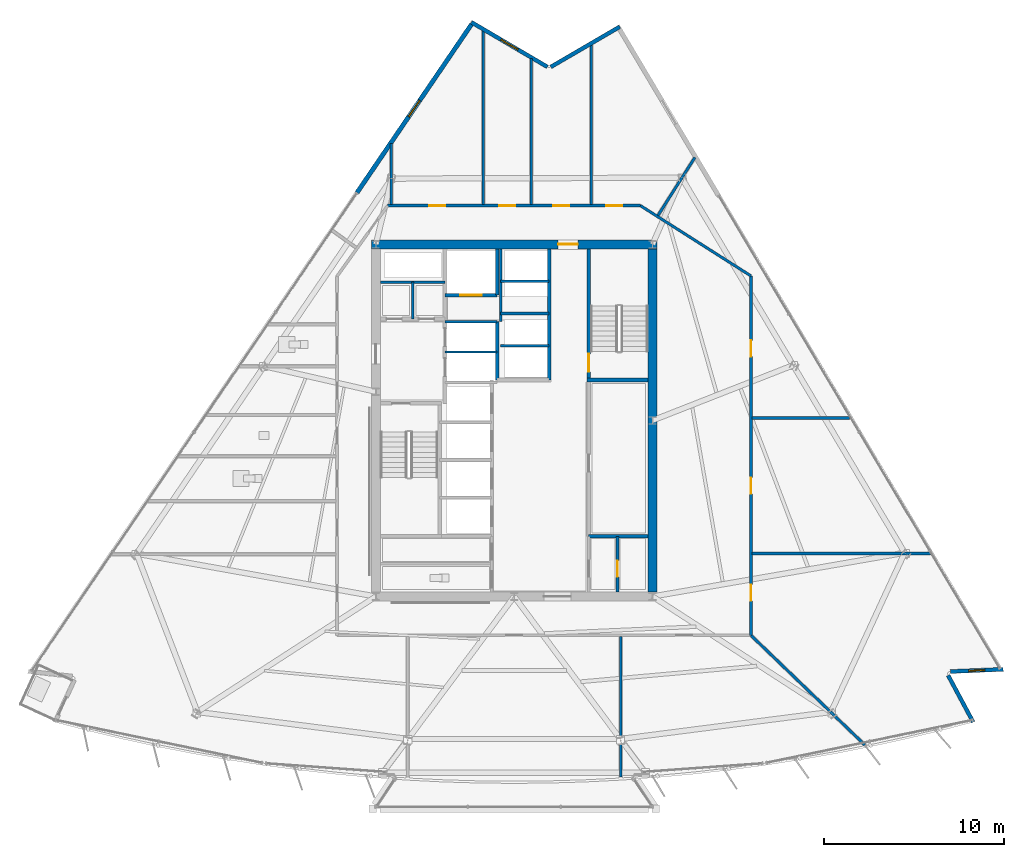
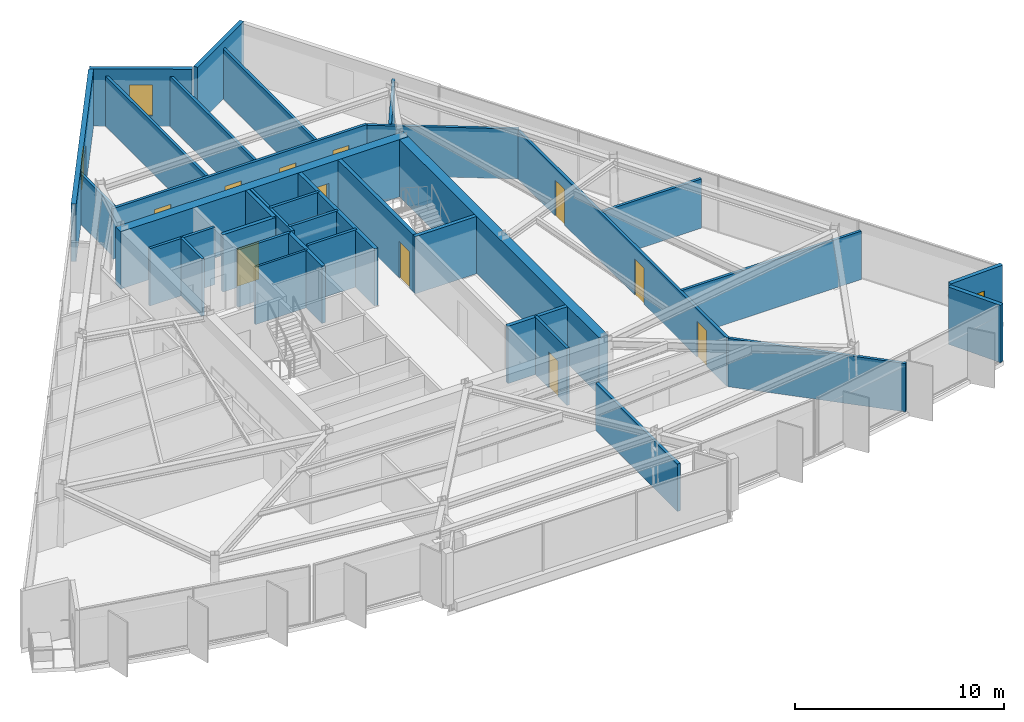
# One storey, part 10 of 16: 35 walls, 11 doors, 3 windows, 14 openings.
"""IFC4 building model written with IfcOpenShell, lengths in metres."""

from ifc_helpers import new_model, si_unit, direction, frame, frame_2d, origin, place, context, subcontext, project, spatial, rectangle, extrude, material, layer, layer_set, type_object, element, fill, save


model = new_model("IFC4")

# Units and contexts
model_context = context("Model", 3, precision=1e-05, world=origin(), true_north=direction((0.0, 1.0)))
body_context = subcontext(model_context, "Body", "Model", "MODEL_VIEW")
ifc_project = project(units=[si_unit("LENGTHUNIT", "METRE"), si_unit("AREAUNIT", "SQUARE_METRE"), si_unit("VOLUMEUNIT", "CUBIC_METRE"), si_unit("PLANEANGLEUNIT", "RADIAN"), si_unit("MASSUNIT", "GRAM", prefix="KILO")], contexts=[model_context])

# Site, building, storey
site_placement = place(None, origin())
site = spatial("IfcSite", under=ifc_project, at=site_placement, CompositionType="ELEMENT")
building_placement = place(site_placement, origin())
building = spatial("IfcBuilding", under=site, at=building_placement, Name="Savorim Split Tower", CompositionType="ELEMENT")
storey_placement = place(building_placement, frame((0.0, 0.0, 160.199951171875)))
storey = spatial("IfcBuildingStorey", under=building, at=storey_placement, Name="L42", CompositionType="ELEMENT", Elevation=160.199951171875)

# Wall, opening, door
ifc_material_1 = material(Name="Concrete C60/75", Category="concrete")
ifc_layer_1 = layer(ifc_material_1, 0.5)
ifc_layer_set_1 = layer_set([ifc_layer_1], Name="WAL-COR-SH500")
wall_type_1 = type_object("IfcWallType", Name="WAL-COR-SH500", PredefinedType="SHEAR", material=ifc_layer_set_1)
wall_1_placement = place(storey_placement, frame((7.949951171875, 10.199951171875, 0.0), z_axis=(0.0, 0.0, 1.0), x_axis=(-1.0, 0.0, 0.0)))
wall_1 = element("IfcWall", 1, at=wall_1_placement, inside=storey, type_object=wall_type_1, Name="L42 Offset Core North Shear Wall", PredefinedType="SHEAR", context=body_context, shape_type="SweptSolid", body=[
    extrude(rectangle(XDim=15.89990234375, YDim=0.5, at=frame_2d((7.949951171875, 0.0))), origin(), (0.0, 0.0, 1.0), 3.35009765625),
])
opening_1_placement = place(wall_1_placement, frame((4.39990234375, 0.0, 0.0)))
opening_1 = element("IfcOpeningElement", 2, at=opening_1_placement, cuts=wall_1, Name="Opening DI-03", PredefinedType="OPENING", context=body_context, shape_type="SweptSolid", body=[
    extrude(rectangle(XDim=1.10009765625, YDim=2.14990234375, at=frame_2d((0.550048828125, 1.074951171875))), frame((0.0, 0.260009765625, 0.0), z_axis=(0.0, -1.0, 0.0), x_axis=(1.0, 0.0, 0.0)), (0.0, 0.0, 1.0), 0.52001953125),
])
ifc_material_2 = material(Name="Timber Fire Door Leaf", Category="wood")
door_type_1 = type_object("IfcDoorType", Name="DOR-FIR-1100", OperationType="NOTDEFINED", PredefinedType="DOOR", material=ifc_material_2)
door_1_placement = place(opening_1_placement, origin())
door_1 = element("IfcDoor", 3, at=door_1_placement, inside=storey, type_object=door_type_1, Name="DOR-L42-COR-NLOB - L42 North Corridor Lobby Fire Door", OperationType="SINGLE_SWING_LEFT", OverallHeight=2.14990234375, OverallWidth=1.10009765625, PredefinedType="DOOR", context=body_context, shape_type="SweptSolid", body=[
    extrude(rectangle(XDim=1.10009765625, YDim=2.14990234375, at=frame_2d((0.550048828125, 1.074951171875))), frame((0.0, 0.02490234375, 0.0), z_axis=(0.0, -1.0, 0.0), x_axis=(1.0, 0.0, 0.0)), (0.0, 0.0, 1.0), 0.050048828125),
])
fill(opening_1, door_1)

# Walls
wall_2_placement = place(storey_placement, frame((7.699951171875, 9.949951171875, 0.0), z_axis=(0.0, 0.0, 1.0), x_axis=(0.0, -1.0, 0.0)))
element("IfcWall", 4, at=wall_2_placement, inside=storey, type_object=wall_type_1, Name="L42 Offset Core East Shear Wall", PredefinedType="SHEAR", context=body_context, shape_type="SweptSolid", body=[
    extrude(rectangle(XDim=19.099853515625, YDim=0.5, at=frame_2d((9.5498046875, 0.0))), origin(), (0.0, 0.0, 1.0), 3.35009765625),
])
ifc_material_3 = material(Name="Precast concrete C40/50", Category="concrete")
ifc_layer_2 = layer(ifc_material_3, 0.219970703125)
ifc_layer_set_2 = layer_set([ifc_layer_2], Name="WAL-EXT-CRN220")
wall_type_2 = type_object("IfcWallType", Name="WAL-EXT-CRN220", PredefinedType="SOLIDWALL", material=ifc_layer_set_2)
wall_3_placement = place(storey_placement, frame((24.15478515625, -13.789794921875, 0.0), z_axis=(0.0, 0.0, 1.0), x_axis=(0.472795751791, -0.881172047383, 0.0)))
element("IfcWall", 5, at=wall_3_placement, inside=storey, type_object=wall_type_2, Name="L42 Notched Corner Facade Wall SE1", PredefinedType="SOLIDWALL", context=body_context, shape_type="SweptSolid", body=[
    extrude(rectangle(XDim=2.948486328125, YDim=0.219970703125, at=frame_2d((1.47412109375, 0.0))), origin(), (0.0, 0.0, 1.0), 3.35009765625),
])

# Wall, opening, window
wall_4_placement = place(storey_placement, frame((27.219482421875, -13.450927734375, 0.0), z_axis=(0.0, 0.0, 1.0), x_axis=(-0.999095615947, -0.042519997593, 0.0)))
wall_4 = element("IfcWall", 6, at=wall_4_placement, inside=storey, type_object=wall_type_2, Name="L42 Notched Corner Facade Wall SE", PredefinedType="SOLIDWALL", context=body_context, shape_type="SweptSolid", body=[
    extrude(rectangle(XDim=2.945556640625, YDim=0.219970703125, at=frame_2d((1.47265625, 0.0))), origin(), (0.0, 0.0, 1.0), 3.35009765625),
])
opening_2_placement = place(wall_4_placement, frame((1.022705078125, 0.0, 0.6201171875)))
opening_2 = element("IfcOpeningElement", 7, at=opening_2_placement, cuts=wall_4, Name="Opening WN-10", PredefinedType="OPENING", context=body_context, shape_type="SweptSolid", body=[
    extrude(rectangle(XDim=0.89990234375, YDim=1.60009765625, at=frame_2d((0.449951171875, 0.800048828125))), frame((0.0, 0.119873046875, 0.0), z_axis=(0.0, -1.0, 0.0), x_axis=(1.0, 0.0, 0.0)), (0.0, 0.0, 1.0), 0.239990234375),
])
ifc_material_4 = material(Name="Low-E Operable Double Glazing", Category="glass")
window_type_1 = type_object("IfcWindowType", Name="WIN-TWR-900x1600", PartitioningType="SINGLE_PANEL", PredefinedType="WINDOW", material=ifc_material_4)
window_1_placement = place(opening_2_placement, origin())
window_1 = element("IfcWindow", 8, at=window_1_placement, inside=storey, type_object=window_type_1, Name="L42 Operable Corner Window SE", OverallHeight=1.60009765625, OverallWidth=0.89990234375, PartitioningType="SINGLE_PANEL", PredefinedType="WINDOW", context=body_context, shape_type="SweptSolid", body=[
    extrude(rectangle(XDim=0.89990234375, YDim=1.60009765625, at=frame_2d((0.449951171875, 0.800048828125))), frame((0.0, 0.030029296875, 0.0), z_axis=(0.0, -1.0, 0.0), x_axis=(1.0, 0.0, 0.0)), (0.0, 0.0, 1.0), 0.06005859375),
])
fill(opening_2, window_1)

# Wall
wall_5_placement = place(storey_placement, frame((2.03857421875, 20.079345703125, 0.0), z_axis=(0.0, 0.0, 1.0), x_axis=(0.86398603623, 0.503515768571, 0.0)))
element("IfcWall", 9, at=wall_5_placement, inside=storey, type_object=wall_type_2, Name="L42 Notched Corner Facade Wall NE1", PredefinedType="SOLIDWALL", context=body_context, shape_type="SweptSolid", body=[
    extrude(rectangle(XDim=4.4443359375, YDim=0.219970703125, at=frame_2d((2.22216796875, 0.0))), origin(), (0.0, 0.0, 1.0), 3.35009765625),
])

# Wall, opening, window
wall_6_placement = place(storey_placement, frame((-2.384521484375, 22.5673828125, 0.0), z_axis=(0.0, 0.0, 1.0), x_axis=(0.8621258938, -0.506694131839, 0.0)))
wall_6 = element("IfcWall", 10, at=wall_6_placement, inside=storey, type_object=wall_type_2, Name="L42 Notched Corner Facade Wall N", PredefinedType="SOLIDWALL", context=body_context, shape_type="SweptSolid", body=[
    extrude(rectangle(XDim=4.909912109375, YDim=0.219970703125, at=frame_2d((2.455078125, 0.0))), origin(), (0.0, 0.0, 1.0), 3.35009765625),
])
opening_3_placement = place(wall_6_placement, frame((1.90478515625, 0.0, 0.6201171875)))
opening_3 = element("IfcOpeningElement", 11, at=opening_3_placement, cuts=wall_6, Name="Opening WN-09", PredefinedType="OPENING", context=body_context, shape_type="SweptSolid", body=[
    extrude(rectangle(XDim=1.10009765625, YDim=1.800048828125, at=frame_2d((0.550048828125, 0.89990234375))), frame((0.0, 0.119873046875, 0.0), z_axis=(0.0, -1.0, 0.0), x_axis=(1.0, 0.0, 0.0)), (0.0, 0.0, 1.0), 0.239990234375),
])
window_type_2 = type_object("IfcWindowType", Name="WIN-TWR-1100x1800", PartitioningType="SINGLE_PANEL", PredefinedType="WINDOW", material=ifc_material_4)
window_2_placement = place(opening_3_placement, origin())
window_2 = element("IfcWindow", 12, at=window_2_placement, inside=storey, type_object=window_type_2, Name="L42 Operable Corner Window N", OverallHeight=1.800048828125, OverallWidth=1.10009765625, PartitioningType="SINGLE_PANEL", PredefinedType="WINDOW", context=body_context, shape_type="SweptSolid", body=[
    extrude(rectangle(XDim=1.10009765625, YDim=1.800048828125, at=frame_2d((0.550048828125, 0.89990234375))), frame((0.0, 0.030029296875, 0.0), z_axis=(0.0, -1.0, 0.0), x_axis=(1.0, 0.0, 0.0)), (0.0, 0.0, 1.0), 0.06005859375),
])
fill(opening_3, window_2)

ifc_layer_3 = layer(ifc_material_3, 0.25)
ifc_layer_set_3 = layer_set([ifc_layer_3], Name="WAL-EXT-SPN250")
wall_type_3 = type_object("IfcWallType", Name="WAL-EXT-SPN250", PredefinedType="SOLIDWALL", material=ifc_layer_set_3)
wall_7_placement = place(storey_placement, frame((-8.75048828125, 13.080810546875, 0.0), z_axis=(0.0, 0.0, 1.0), x_axis=(0.562463958751, 0.82682180372, 0.0)))
wall_7 = element("IfcWall", 13, at=wall_7_placement, inside=storey, type_object=wall_type_3, Name="L42 West Operable Window Pier", PredefinedType="SOLIDWALL", context=body_context, shape_type="SweptSolid", body=[
    extrude(rectangle(XDim=11.321533203125, YDim=0.25, at=frame_2d((5.66064453125, 0.0))), origin(), (0.0, 0.0, 1.0), 3.35009765625),
])
opening_4_placement = place(wall_7_placement, frame((5.110595703125, 0.0, 0.6201171875)))
opening_4 = element("IfcOpeningElement", 14, at=opening_4_placement, cuts=wall_7, Name="Opening WN-09", PredefinedType="OPENING", context=body_context, shape_type="SweptSolid", body=[
    extrude(rectangle(XDim=1.10009765625, YDim=1.800048828125, at=frame_2d((0.550048828125, 0.89990234375))), frame((0.0, 0.135009765625, 0.0), z_axis=(0.0, -1.0, 0.0), x_axis=(1.0, 0.0, 0.0)), (0.0, 0.0, 1.0), 0.27001953125),
])
window_3_placement = place(opening_4_placement, origin())
window_3 = element("IfcWindow", 15, at=window_3_placement, inside=storey, type_object=window_type_2, Name="L42 West Operable Ventilation Window", OverallHeight=1.800048828125, OverallWidth=1.10009765625, PartitioningType="SINGLE_PANEL", PredefinedType="WINDOW", context=body_context, shape_type="SweptSolid", body=[
    extrude(rectangle(XDim=1.10009765625, YDim=1.800048828125, at=frame_2d((0.550048828125, 0.89990234375))), frame((0.0, 0.030029296875, 0.0), z_axis=(0.0, -1.0, 0.0), x_axis=(1.0, 0.0, 0.0)), (0.0, 0.0, 1.0), 0.06005859375),
])
fill(opening_4, window_3)

# Wall, opening, door
ifc_material_5 = material(Name="Concrete C50/60", Category="concrete")
ifc_layer_4 = layer(ifc_material_5, 0.199951171875)
ifc_layer_set_4 = layer_set([ifc_layer_4], Name="WAL-INT-RC200")
wall_type_4 = type_object("IfcWallType", Name="WAL-INT-RC200", PredefinedType="SOLIDWALL", material=ifc_layer_set_4)
wall_8_placement = place(storey_placement, frame((4.14990234375, 2.75, 0.0), z_axis=(0.0, 0.0, 1.0), x_axis=(0.0, 1.0, 0.0)))
wall_8 = element("IfcWall", 16, at=wall_8_placement, inside=storey, type_object=wall_type_4, Name="L42 Structural Shaft Wall W-L42-CR07", PredefinedType="SOLIDWALL", context=body_context, shape_type="SweptSolid", body=[
    extrude(rectangle(XDim=7.199951171875, YDim=0.199951171875, at=frame_2d((3.60009765625, 0.0))), origin(), (0.0, 0.0, 1.0), 3.35009765625),
])
opening_5_placement = place(wall_8_placement, frame((0.35009765625, 0.0, 0.0)))
opening_5 = element("IfcOpeningElement", 17, at=opening_5_placement, cuts=wall_8, Name="Opening DI-04", PredefinedType="OPENING", context=body_context, shape_type="SweptSolid", body=[
    extrude(rectangle(XDim=1.0, YDim=2.14990234375, at=frame_2d((0.5, 1.074951171875))), frame((0.0, 0.10986328125, 0.0), z_axis=(0.0, -1.0, 0.0), x_axis=(1.0, 0.0, 0.0)), (0.0, 0.0, 1.0), 0.219970703125),
])
door_type_2 = type_object("IfcDoorType", Name="DOR-FIR-1000", OperationType="NOTDEFINED", PredefinedType="DOOR", material=ifc_material_2)
door_2_placement = place(opening_5_placement, origin())
door_2 = element("IfcDoor", 18, at=door_2_placement, inside=storey, type_object=door_type_2, Name="DR-L42-ST2 - L42 Stair ST-2 Enclosure Door", OperationType="SINGLE_SWING_RIGHT", OverallHeight=2.14990234375, OverallWidth=1.0, PredefinedType="DOOR", context=body_context, shape_type="SweptSolid", body=[
    extrude(rectangle(XDim=1.0, YDim=2.14990234375, at=frame_2d((0.5, 1.074951171875))), frame((0.0, 0.02490234375, 0.0), z_axis=(0.0, -1.0, 0.0), x_axis=(1.0, 0.0, 0.0)), (0.0, 0.0, 1.0), 0.050048828125),
])
fill(opening_5, door_2)

# Walls
wall_9_placement = place(storey_placement, frame((4.050048828125, 2.64990234375, 0.0), z_axis=(0.0, 0.0, 1.0), x_axis=(1.0, 0.0, 0.0)))
element("IfcWall", 19, at=wall_9_placement, inside=storey, type_object=wall_type_4, Name="L42 Structural Shaft Wall W-L42-CR08", PredefinedType="SOLIDWALL", context=body_context, shape_type="SweptSolid", body=[
    extrude(rectangle(XDim=3.39990234375, YDim=0.199951171875, at=frame_2d((1.699951171875, 0.0))), origin(), (0.0, 0.0, 1.0), 3.35009765625),
])
wall_10_placement = place(storey_placement, frame((-0.949951171875, 2.64990234375, 0.0), z_axis=(0.0, 0.0, 1.0), x_axis=(0.0, 1.0, 0.0)))
element("IfcWall", 20, at=wall_10_placement, inside=storey, type_object=wall_type_4, Name="L42 Partition W-L42-FFLW", PredefinedType="SOLIDWALL", context=body_context, shape_type="SweptSolid", body=[
    extrude(rectangle(XDim=3.27001953125, YDim=0.199951171875, at=frame_2d((1.635009765625, 0.0))), origin(), (0.0, 0.0, 1.0), 3.35009765625),
])

# Wall, opening, door
wall_11_placement = place(storey_placement, frame((-3.85009765625, 7.3798828125, 0.0), z_axis=(0.0, 0.0, 1.0), x_axis=(1.0, 0.0, 0.0)))
wall_11 = element("IfcWall", 21, at=wall_11_placement, inside=storey, type_object=wall_type_4, Name="L42 Partition W-L42-SVLS", PredefinedType="SOLIDWALL", context=body_context, shape_type="SweptSolid", body=[
    extrude(rectangle(XDim=2.900146484375, YDim=0.199951171875, at=frame_2d((1.4501953125, 0.0))), origin(), (0.0, 0.0, 1.0), 3.35009765625),
])
opening_6_placement = place(wall_11_placement, frame((0.85009765625, 0.0, 0.0)))
opening_6 = element("IfcOpeningElement", 22, at=opening_6_placement, cuts=wall_11, Name="Opening LD-SV", PredefinedType="OPENING", context=body_context, shape_type="SweptSolid", body=[
    extrude(rectangle(XDim=1.199951171875, YDim=2.199951171875, at=frame_2d((0.60009765625, 1.10009765625))), frame((0.0, 0.10986328125, 0.0), z_axis=(0.0, -1.0, 0.0), x_axis=(1.0, 0.0, 0.0)), (0.0, 0.0, 1.0), 0.219970703125),
])
ifc_material_6 = material(Name="Charcoal Anodised Aluminium", Category="aluminium")
door_type_3 = type_object("IfcDoorType", Name="DOR-SLD-SV1200", OperationType="NOTDEFINED", PredefinedType="DOOR", material=ifc_material_6)
door_3_placement = place(opening_6_placement, origin())
door_3 = element("IfcDoor", 23, at=door_3_placement, inside=storey, type_object=door_type_3, Name="DR-L42-LD-SVL1 - L42 Service Lift SVL-1 Sliding Landing Door", OperationType="DOUBLE_DOOR_SLIDING", OverallHeight=2.199951171875, OverallWidth=1.199951171875, PredefinedType="DOOR", context=body_context, shape_type="SweptSolid", body=[
    extrude(rectangle(XDim=1.199951171875, YDim=2.199951171875, at=frame_2d((0.60009765625, 1.10009765625))), frame((0.0, 0.02490234375, 0.0), z_axis=(0.0, -1.0, 0.0), x_axis=(1.0, 0.0, 0.0)), (0.0, 0.0, 1.0), 0.050048828125),
])
fill(opening_6, door_3)

# Walls
wall_12_placement = place(storey_placement, frame((-0.949951171875, 7.3798828125, 0.0), z_axis=(0.0, 0.0, 1.0), x_axis=(0.0, 1.0, 0.0)))
element("IfcWall", 24, at=wall_12_placement, inside=storey, type_object=wall_type_4, Name="L42 Partition W-L42-SVLE", PredefinedType="SOLIDWALL", context=body_context, shape_type="SweptSolid", body=[
    extrude(rectangle(XDim=2.565185546875, YDim=0.199951171875, at=frame_2d((1.28271484375, 0.0))), origin(), (0.0, 0.0, 1.0), 3.35009765625),
])
wall_13_placement = place(storey_placement, frame((1.949951171875, 2.64990234375, 0.0), z_axis=(0.0, 0.0, 1.0), x_axis=(0.0, 1.0, 0.0)))
element("IfcWall", 25, at=wall_13_placement, inside=storey, type_object=wall_type_4, Name="L42 Partition W-L42-B3FRONT", PredefinedType="SOLIDWALL", context=body_context, shape_type="SweptSolid", body=[
    extrude(rectangle(XDim=7.295166015625, YDim=0.199951171875, at=frame_2d((3.6474609375, 0.0))), origin(), (0.0, 0.0, 1.0), 3.35009765625),
])
wall_14_placement = place(storey_placement, frame((4.14990234375, -6.050048828125, 0.0), z_axis=(0.0, 0.0, 1.0), x_axis=(1.0, 0.0, 0.0)))
element("IfcWall", 26, at=wall_14_placement, inside=storey, type_object=wall_type_4, Name="L42 Partition W-L42-KSEP-E", PredefinedType="SOLIDWALL", context=body_context, shape_type="SweptSolid", body=[
    extrude(rectangle(XDim=3.295166015625, YDim=0.199951171875, at=frame_2d((1.6474609375, 0.0))), origin(), (0.0, 0.0, 1.0), 3.35009765625),
])
ifc_material_7 = material(Name="Acoustic Gypsum Partition Board")
ifc_layer_5 = layer(ifc_material_7, 0.1201171875)
ifc_layer_set_5 = layer_set([ifc_layer_5], Name="WAL-PAR-120")
wall_type_5 = type_object("IfcWallType", Name="WAL-PAR-120", PredefinedType="PARTITIONING", material=ifc_layer_set_5)
wall_15_placement = place(storey_placement, frame((-3.85009765625, 4.219970703125, 0.0), z_axis=(0.0, 0.0, 1.0), x_axis=(1.0, 0.0, 0.0)))
element("IfcWall", 27, at=wall_15_placement, inside=storey, type_object=wall_type_5, Name="L42 Partition W-L42-FFLD1", PredefinedType="PARTITIONING", context=body_context, shape_type="SweptSolid", body=[
    extrude(rectangle(XDim=2.900146484375, YDim=0.1201171875, at=frame_2d((1.4501953125, 0.0))), origin(), (0.0, 0.0, 1.0), 3.35009765625),
])
ifc_layer_6 = layer(ifc_material_7, 0.14990234375)
ifc_layer_set_6 = layer_set([ifc_layer_6], Name="WAL-PAR-150")
wall_type_6 = type_object("IfcWallType", Name="WAL-PAR-150", PredefinedType="PARTITIONING", material=ifc_layer_set_6)
wall_16_placement = place(storey_placement, frame((-7.445068359375, 8.10009765625, 0.0), z_axis=(0.0, 0.0, 1.0), x_axis=(1.0, 0.0, 0.0)))
element("IfcWall", 28, at=wall_16_placement, inside=storey, type_object=wall_type_6, Name="L42 Partition W-L42-CR05", PredefinedType="PARTITIONING", context=body_context, shape_type="SweptSolid", body=[
    extrude(rectangle(XDim=3.594970703125, YDim=0.14990234375, at=frame_2d((1.79736328125, 0.0))), origin(), (0.0, 0.0, 1.0), 3.35009765625),
])
wall_17_placement = place(storey_placement, frame((-5.64990234375, 6.050048828125, 0.0), z_axis=(0.0, 0.0, 1.0), x_axis=(0.0, 1.0, 0.0)))
element("IfcWall", 29, at=wall_17_placement, inside=storey, type_object=wall_type_6, Name="L42 Partition W-L42-CR06", PredefinedType="PARTITIONING", context=body_context, shape_type="SweptSolid", body=[
    extrude(rectangle(XDim=2.050048828125, YDim=0.14990234375, at=frame_2d((1.02490234375, 0.0))), origin(), (0.0, 0.0, 1.0), 3.35009765625),
])
wall_18_placement = place(storey_placement, frame((-3.85009765625, 5.89990234375, 0.0), z_axis=(0.0, 0.0, 1.0), x_axis=(1.0, 0.0, 0.0)))
element("IfcWall", 30, at=wall_18_placement, inside=storey, type_object=wall_type_6, Name="L42 Partition W-L42-FFLD2", PredefinedType="PARTITIONING", context=body_context, shape_type="SweptSolid", body=[
    extrude(rectangle(XDim=2.900146484375, YDim=0.14990234375, at=frame_2d((1.4501953125, 0.0))), origin(), (0.0, 0.0, 1.0), 3.35009765625),
])
wall_19_placement = place(storey_placement, frame((-0.75, 5.919921875, 0.0), z_axis=(0.0, 0.0, 1.0), x_axis=(0.0, 1.0, 0.0)))
element("IfcWall", 31, at=wall_19_placement, inside=storey, type_object=wall_type_6, Name="L42 Partition W-L42-B3WEST", PredefinedType="PARTITIONING", context=body_context, shape_type="SweptSolid", body=[
    extrude(rectangle(XDim=4.025146484375, YDim=0.14990234375, at=frame_2d((2.0126953125, 0.0))), origin(), (0.0, 0.0, 1.0), 3.35009765625),
])
for number, where, z_axis, x_axis, name in (
    (32, (-0.75, 4.550048828125, 0.0), (0.0, 0.0, 1.0), (1.0, 0.0, 0.0), "L42 Partition W-L42-B3DIV1"),
    (33, (-0.75, 6.35009765625, 0.0), (0.0, 0.0, 1.0), (1.0, 0.0, 0.0), "L42 Partition W-L42-B3DIV2"),
    (34, (-0.75, 8.14990234375, 0.0), (0.0, 0.0, 1.0), (1.0, 0.0, 0.0), "L42 Partition W-L42-B3DIV3"),
):
    element("IfcWall", number, at=place(storey_placement, frame(where, z_axis=z_axis, x_axis=x_axis)), inside=storey, type_object=wall_type_6, Name=name, PredefinedType="PARTITIONING", context=body_context, shape_type="SweptSolid", body=[
        extrude(rectangle(XDim=2.699951171875, YDim=0.14990234375, at=frame_2d((1.35009765625, 0.0))), origin(), (0.0, 0.0, 1.0), 3.35009765625),
    ])

# Wall, opening, door
wall_20_placement = place(storey_placement, frame((5.75, -9.14501953125, 0.0), z_axis=(0.0, 0.0, 1.0), x_axis=(0.0, 1.0, 0.0)))
wall_20 = element("IfcWall", 35, at=wall_20_placement, inside=storey, type_object=wall_type_6, Name="L42 Partition W-L42-K2E", PredefinedType="PARTITIONING", context=body_context, shape_type="SweptSolid", body=[
    extrude(rectangle(XDim=3.094970703125, YDim=0.14990234375, at=frame_2d((1.54736328125, 0.0))), origin(), (0.0, 0.0, 1.0), 3.35009765625),
])
opening_7_placement = place(wall_20_placement, frame((0.844970703125, 0.0, 0.0)))
opening_7 = element("IfcOpeningElement", 36, at=opening_7_placement, cuts=wall_20, Name="Opening DI-06", PredefinedType="OPENING", context=body_context, shape_type="SweptSolid", body=[
    extrude(rectangle(XDim=0.89990234375, YDim=2.10009765625, at=frame_2d((0.449951171875, 1.050048828125))), frame((0.0, 0.0849609375, 0.0), z_axis=(0.0, -1.0, 0.0), x_axis=(1.0, 0.0, 0.0)), (0.0, 0.0, 1.0), 0.169921875),
])
door_type_4 = type_object("IfcDoorType", Name="DOR-FIR-900", OperationType="NOTDEFINED", PredefinedType="DOOR", material=ifc_material_2)
door_4_placement = place(opening_7_placement, origin())
door_4 = element("IfcDoor", 37, at=door_4_placement, inside=storey, type_object=door_type_4, Name="DR-L42-K2REF - L42 Recycling Room Door", OperationType="SINGLE_SWING_RIGHT", OverallHeight=2.10009765625, OverallWidth=0.89990234375, PredefinedType="DOOR", context=body_context, shape_type="SweptSolid", body=[
    extrude(rectangle(XDim=0.89990234375, YDim=2.10009765625, at=frame_2d((0.449951171875, 1.050048828125))), frame((0.0, 0.02490234375, 0.0), z_axis=(0.0, -1.0, 0.0), x_axis=(1.0, 0.0, 0.0)), (0.0, 0.0, 1.0), 0.050048828125),
])
fill(opening_7, door_4)

# Wall, openings, doors
wall_21_placement = place(storey_placement, frame((-7.041015625, 12.360107421875, 0.0), z_axis=(0.0, 0.0, 1.0), x_axis=(1.0, 0.0, 0.0)))
wall_21 = element("IfcWall", 38, at=wall_21_placement, inside=storey, type_object=wall_type_6, Name="L42 Partition W-L42-COR-03", PredefinedType="PARTITIONING", context=body_context, shape_type="SweptSolid", body=[
    extrude(rectangle(XDim=14.064208984375, YDim=0.14990234375, at=frame_2d((7.0322265625, 0.0))), origin(), (0.0, 0.0, 1.0), 2.965087890625),
])
opening_8_placement = place(wall_21_placement, frame((12.16259765625, 0.0, 0.0)))
opening_8 = element("IfcOpeningElement", 39, at=opening_8_placement, cuts=wall_21, Name="Opening DI-06", PredefinedType="OPENING", context=body_context, shape_type="SweptSolid", body=[
    extrude(rectangle(XDim=0.89990234375, YDim=2.10009765625, at=frame_2d((0.449951171875, 1.050048828125))), frame((0.0, 0.0849609375, 0.0), z_axis=(0.0, -1.0, 0.0), x_axis=(1.0, 0.0, 0.0)), (0.0, 0.0, 1.0), 0.169921875),
])
opening_9_placement = place(wall_21_placement, frame((9.216796875, 0.0, 0.0)))
opening_9 = element("IfcOpeningElement", 40, at=opening_9_placement, cuts=wall_21, Name="Opening DI-06", PredefinedType="OPENING", context=body_context, shape_type="SweptSolid", body=[
    extrude(rectangle(XDim=0.89990234375, YDim=2.10009765625, at=frame_2d((0.449951171875, 1.050048828125))), frame((0.0, 0.0849609375, 0.0), z_axis=(0.0, -1.0, 0.0), x_axis=(1.0, 0.0, 0.0)), (0.0, 0.0, 1.0), 0.169921875),
])
opening_10_placement = place(wall_21_placement, frame((6.209228515625, 0.0, 0.0)))
opening_10 = element("IfcOpeningElement", 41, at=opening_10_placement, cuts=wall_21, Name="Opening DI-06", PredefinedType="OPENING", context=body_context, shape_type="SweptSolid", body=[
    extrude(rectangle(XDim=0.89990234375, YDim=2.10009765625, at=frame_2d((0.449951171875, 1.050048828125))), frame((0.0, 0.0849609375, 0.0), z_axis=(0.0, -1.0, 0.0), x_axis=(1.0, 0.0, 0.0)), (0.0, 0.0, 1.0), 0.169921875),
])
opening_11_placement = place(wall_21_placement, frame((2.314697265625, 0.0, 0.0)))
opening_11 = element("IfcOpeningElement", 42, at=opening_11_placement, cuts=wall_21, Name="Opening DI-06", PredefinedType="OPENING", context=body_context, shape_type="SweptSolid", body=[
    extrude(rectangle(XDim=0.89990234375, YDim=2.10009765625, at=frame_2d((0.449951171875, 1.050048828125))), frame((0.0, 0.0849609375, 0.0), z_axis=(0.0, -1.0, 0.0), x_axis=(1.0, 0.0, 0.0)), (0.0, 0.0, 1.0), 0.169921875),
])
door_5_placement = place(opening_8_placement, origin())
door_5 = element("IfcDoor", 43, at=door_5_placement, inside=storey, type_object=door_type_4, Name="DR-L42-RM10 - L42 Quiet Study Room Entry Door", OperationType="SINGLE_SWING_LEFT", OverallHeight=2.10009765625, OverallWidth=0.89990234375, PredefinedType="DOOR", context=body_context, shape_type="SweptSolid", body=[
    extrude(rectangle(XDim=0.89990234375, YDim=2.10009765625, at=frame_2d((0.449951171875, 1.050048828125))), frame((0.0, 0.02490234375, 0.0), z_axis=(0.0, -1.0, 0.0), x_axis=(1.0, 0.0, 0.0)), (0.0, 0.0, 1.0), 0.050048828125),
])
fill(opening_8, door_5)
door_6_placement = place(opening_9_placement, origin())
door_6 = element("IfcDoor", 44, at=door_6_placement, inside=storey, type_object=door_type_4, Name="DR-L42-RM11 - L42 Quiet Study Room Entry Door", OperationType="SINGLE_SWING_RIGHT", OverallHeight=2.10009765625, OverallWidth=0.89990234375, PredefinedType="DOOR", context=body_context, shape_type="SweptSolid", body=[
    extrude(rectangle(XDim=0.89990234375, YDim=2.10009765625, at=frame_2d((0.449951171875, 1.050048828125))), frame((0.0, 0.02490234375, 0.0), z_axis=(0.0, -1.0, 0.0), x_axis=(1.0, 0.0, 0.0)), (0.0, 0.0, 1.0), 0.050048828125),
])
fill(opening_9, door_6)
door_7_placement = place(opening_10_placement, origin())
door_7 = element("IfcDoor", 45, at=door_7_placement, inside=storey, type_object=door_type_4, Name="DR-L42-RM12 - L42 Quiet Study Room Entry Door", OperationType="SINGLE_SWING_LEFT", OverallHeight=2.10009765625, OverallWidth=0.89990234375, PredefinedType="DOOR", context=body_context, shape_type="SweptSolid", body=[
    extrude(rectangle(XDim=0.89990234375, YDim=2.10009765625, at=frame_2d((0.449951171875, 1.050048828125))), frame((0.0, 0.02490234375, 0.0), z_axis=(0.0, -1.0, 0.0), x_axis=(1.0, 0.0, 0.0)), (0.0, 0.0, 1.0), 0.050048828125),
])
fill(opening_10, door_7)
door_8_placement = place(opening_11_placement, origin())
door_8 = element("IfcDoor", 46, at=door_8_placement, inside=storey, type_object=door_type_4, Name="DR-L42-RM13 - L42 Quiet Study Room Entry Door", OperationType="SINGLE_SWING_RIGHT", OverallHeight=2.10009765625, OverallWidth=0.89990234375, PredefinedType="DOOR", context=body_context, shape_type="SweptSolid", body=[
    extrude(rectangle(XDim=0.89990234375, YDim=2.10009765625, at=frame_2d((0.449951171875, 1.050048828125))), frame((0.0, 0.02490234375, 0.0), z_axis=(0.0, -1.0, 0.0), x_axis=(1.0, 0.0, 0.0)), (0.0, 0.0, 1.0), 0.050048828125),
])
fill(opening_11, door_8)

# Wall
wall_22_placement = place(storey_placement, frame((7.023193359375, 12.360107421875, 0.0), z_axis=(0.0, 0.0, 1.0), x_axis=(0.84376480085, -0.536713108511, 0.0)))
element("IfcWall", 47, at=wall_22_placement, inside=storey, type_object=wall_type_6, Name="L42 Partition W-L42-COR-04", PredefinedType="PARTITIONING", context=body_context, shape_type="SweptSolid", body=[
    extrude(rectangle(XDim=7.296630859375, YDim=0.14990234375, at=frame_2d((3.6484375, 0.0))), origin(), (0.0, 0.0, 1.0), 2.925048828125),
])

# Wall, openings, doors
wall_23_placement = place(storey_placement, frame((13.179931640625, 8.44384765625, 0.0), z_axis=(0.0, 0.0, 1.0), x_axis=(0.0, -1.0, 0.0)))
wall_23 = element("IfcWall", 48, at=wall_23_placement, inside=storey, type_object=wall_type_6, Name="L42 Partition W-L42-COR-05", PredefinedType="PARTITIONING", context=body_context, shape_type="SweptSolid", body=[
    extrude(rectangle(XDim=20.00390625, YDim=0.14990234375, at=frame_2d((10.001953125, 0.0))), origin(), (0.0, 0.0, 1.0), 2.824951171875),
])
opening_12_placement = place(wall_23_placement, frame((17.186767578125, 0.0, 0.0)))
opening_12 = element("IfcOpeningElement", 49, at=opening_12_placement, cuts=wall_23, Name="Opening DI-06", PredefinedType="OPENING", context=body_context, shape_type="SweptSolid", body=[
    extrude(rectangle(XDim=0.89990234375, YDim=2.10009765625, at=frame_2d((0.449951171875, 1.050048828125))), frame((0.0, 0.0849609375, 0.0), z_axis=(0.0, -1.0, 0.0), x_axis=(1.0, 0.0, 0.0)), (0.0, 0.0, 1.0), 0.169921875),
])
opening_13_placement = place(wall_23_placement, frame((11.2265625, 0.0, 0.0)))
opening_13 = element("IfcOpeningElement", 50, at=opening_13_placement, cuts=wall_23, Name="Opening DI-06", PredefinedType="OPENING", context=body_context, shape_type="SweptSolid", body=[
    extrude(rectangle(XDim=0.89990234375, YDim=2.10009765625, at=frame_2d((0.449951171875, 1.050048828125))), frame((0.0, 0.0849609375, 0.0), z_axis=(0.0, -1.0, 0.0), x_axis=(1.0, 0.0, 0.0)), (0.0, 0.0, 1.0), 0.169921875),
])
opening_14_placement = place(wall_23_placement, frame((3.591796875, 0.0, 0.0)))
opening_14 = element("IfcOpeningElement", 51, at=opening_14_placement, cuts=wall_23, Name="Opening DI-06", PredefinedType="OPENING", context=body_context, shape_type="SweptSolid", body=[
    extrude(rectangle(XDim=0.89990234375, YDim=2.10009765625, at=frame_2d((0.449951171875, 1.050048828125))), frame((0.0, 0.0849609375, 0.0), z_axis=(0.0, -1.0, 0.0), x_axis=(1.0, 0.0, 0.0)), (0.0, 0.0, 1.0), 0.169921875),
])
door_9_placement = place(opening_12_placement, origin())
door_9 = element("IfcDoor", 52, at=door_9_placement, inside=storey, type_object=door_type_4, Name="DR-L42-RM07 - L42 Co-Working Commons Entry Door", OperationType="SINGLE_SWING_RIGHT", OverallHeight=2.10009765625, OverallWidth=0.89990234375, PredefinedType="DOOR", context=body_context, shape_type="SweptSolid", body=[
    extrude(rectangle(XDim=0.89990234375, YDim=2.10009765625, at=frame_2d((0.449951171875, 1.050048828125))), frame((0.0, 0.02490234375, 0.0), z_axis=(0.0, -1.0, 0.0), x_axis=(1.0, 0.0, 0.0)), (0.0, 0.0, 1.0), 0.050048828125),
])
fill(opening_12, door_9)
door_10_placement = place(opening_13_placement, origin())
door_10 = element("IfcDoor", 53, at=door_10_placement, inside=storey, type_object=door_type_4, Name="DR-L42-RM08 - L42 Quiet Study Room Entry Door", OperationType="SINGLE_SWING_LEFT", OverallHeight=2.10009765625, OverallWidth=0.89990234375, PredefinedType="DOOR", context=body_context, shape_type="SweptSolid", body=[
    extrude(rectangle(XDim=0.89990234375, YDim=2.10009765625, at=frame_2d((0.449951171875, 1.050048828125))), frame((0.0, 0.02490234375, 0.0), z_axis=(0.0, -1.0, 0.0), x_axis=(1.0, 0.0, 0.0)), (0.0, 0.0, 1.0), 0.050048828125),
])
fill(opening_13, door_10)
door_11_placement = place(opening_14_placement, origin())
door_11 = element("IfcDoor", 54, at=door_11_placement, inside=storey, type_object=door_type_4, Name="DR-L42-RM09 - L42 Quiet Study Room Entry Door", OperationType="SINGLE_SWING_RIGHT", OverallHeight=2.10009765625, OverallWidth=0.89990234375, PredefinedType="DOOR", context=body_context, shape_type="SweptSolid", body=[
    extrude(rectangle(XDim=0.89990234375, YDim=2.10009765625, at=frame_2d((0.449951171875, 1.050048828125))), frame((0.0, 0.02490234375, 0.0), z_axis=(0.0, -1.0, 0.0), x_axis=(1.0, 0.0, 0.0)), (0.0, 0.0, 1.0), 0.050048828125),
])
fill(opening_14, door_11)

# Walls
wall_24_placement = place(storey_placement, frame((5.92333984375, -11.6201171875, 0.0), z_axis=(0.0, 0.0, 1.0), x_axis=(0.0, -1.0, 0.0)))
element("IfcWall", 55, at=wall_24_placement, inside=storey, type_object=wall_type_6, Name="L42 Partition W-L42-PRAD03", PredefinedType="PARTITIONING", context=body_context, shape_type="SweptSolid", body=[
    extrude(rectangle(XDim=7.830810546875, YDim=0.14990234375, at=frame_2d((3.91552734375, 0.0))), origin(), (0.0, 0.0, 1.0), 2.775146484375),
])
wall_25_placement = place(storey_placement, frame((13.198974609375, -11.578857421875, 0.0), z_axis=(0.0, 0.0, 1.0), x_axis=(0.72042177336, -0.693536205594, 0.0)))
element("IfcWall", 56, at=wall_25_placement, inside=storey, type_object=wall_type_6, Name="L42 Partition W-L42-PRAD04", PredefinedType="PARTITIONING", context=body_context, shape_type="SweptSolid", body=[
    extrude(rectangle(XDim=8.762939453125, YDim=0.14990234375, at=frame_2d((4.38134765625, 0.0))), origin(), (0.0, 0.0, 1.0), 2.824951171875),
])
wall_26_placement = place(storey_placement, frame((13.239990234375, -7.00390625, 0.0), z_axis=(0.0, 0.0, 1.0), x_axis=(1.0, 0.0, 0.0)))
element("IfcWall", 57, at=wall_26_placement, inside=storey, type_object=wall_type_6, Name="L42 Partition W-L42-PRAD05", PredefinedType="PARTITIONING", context=body_context, shape_type="SweptSolid", body=[
    extrude(rectangle(XDim=9.923095703125, YDim=0.14990234375, at=frame_2d((4.96142578125, 0.0))), origin(), (0.0, 0.0, 1.0), 2.824951171875),
])
wall_27_placement = place(storey_placement, frame((8.00244140625, 11.808349609375, 0.0), z_axis=(0.0, 0.0, 1.0), x_axis=(0.536702130852, 0.843771783564, 0.0)))
element("IfcWall", 58, at=wall_27_placement, inside=storey, type_object=wall_type_6, Name="L42 Partition W-L42-PRAD07", PredefinedType="PARTITIONING", context=body_context, shape_type="SweptSolid", body=[
    extrude(rectangle(XDim=3.827392578125, YDim=0.14990234375, at=frame_2d((1.91357421875, 0.0))), origin(), (0.0, 0.0, 1.0), 2.93505859375),
])
wall_28_placement = place(storey_placement, frame((-6.835693359375, 12.419921875, 0.0), z_axis=(0.0, 0.0, 1.0), x_axis=(0.0, 1.0, 0.0)))
element("IfcWall", 59, at=wall_28_placement, inside=storey, type_object=wall_type_6, Name="L42 Partition W-L42-PRAD08", PredefinedType="PARTITIONING", context=body_context, shape_type="SweptSolid", body=[
    extrude(rectangle(XDim=3.386962890625, YDim=0.14990234375, at=frame_2d((1.693359375, 0.0))), origin(), (0.0, 0.0, 1.0), 2.93505859375),
])
wall_29_placement = place(storey_placement, frame((0.95361328125, 12.419921875, 0.0), z_axis=(0.0, 0.0, 1.0), x_axis=(0.0, 1.0, 0.0)))
element("IfcWall", 60, at=wall_29_placement, inside=storey, type_object=wall_type_6, Name="L42 Partition W-L42-SUB02", PredefinedType="PARTITIONING", context=body_context, shape_type="SweptSolid", body=[
    extrude(rectangle(XDim=8.127685546875, YDim=0.14990234375, at=frame_2d((4.06396484375, 0.0))), origin(), (0.0, 0.0, 1.0), 2.93505859375),
])
wall_30_placement = place(storey_placement, frame((13.239990234375, 0.53857421875, 0.0), z_axis=(0.0, 0.0, 1.0), x_axis=(1.0, 0.0, 0.0)))
element("IfcWall", 61, at=wall_30_placement, inside=storey, type_object=wall_type_6, Name="L42 Partition W-L42-SUB05", PredefinedType="PARTITIONING", context=body_context, shape_type="SweptSolid", body=[
    extrude(rectangle(XDim=5.438232421875, YDim=0.14990234375, at=frame_2d((2.71923828125, 0.0))), origin(), (0.0, 0.0, 1.0), 2.875),
])
wall_31_placement = place(storey_placement, frame((4.298095703125, 12.419921875, 0.0), z_axis=(0.0, 0.0, 1.0), x_axis=(0.0, 1.0, 0.0)))
element("IfcWall", 62, at=wall_31_placement, inside=storey, type_object=wall_type_6, Name="L42 Partition W-L42-SUB06", PredefinedType="PARTITIONING", context=body_context, shape_type="SweptSolid", body=[
    extrude(rectangle(XDim=8.91845703125, YDim=0.14990234375, at=frame_2d((4.459228515625, 0.0))), origin(), (0.0, 0.0, 1.0), 2.93505859375),
])
wall_32_placement = place(storey_placement, frame((-1.717041015625, 12.419921875, 0.0), z_axis=(0.0, 0.0, 1.0), x_axis=(0.0, 1.0, 0.0)))
element("IfcWall", 63, at=wall_32_placement, inside=storey, type_object=wall_type_6, Name="L42 Partition W-L42-SUB07", PredefinedType="PARTITIONING", context=body_context, shape_type="SweptSolid", body=[
    extrude(rectangle(XDim=9.697021484375, YDim=0.14990234375, at=frame_2d((4.8486328125, 0.0))), origin(), (0.0, 0.0, 1.0), 2.93505859375),
])

save(model, "model.ifc")
